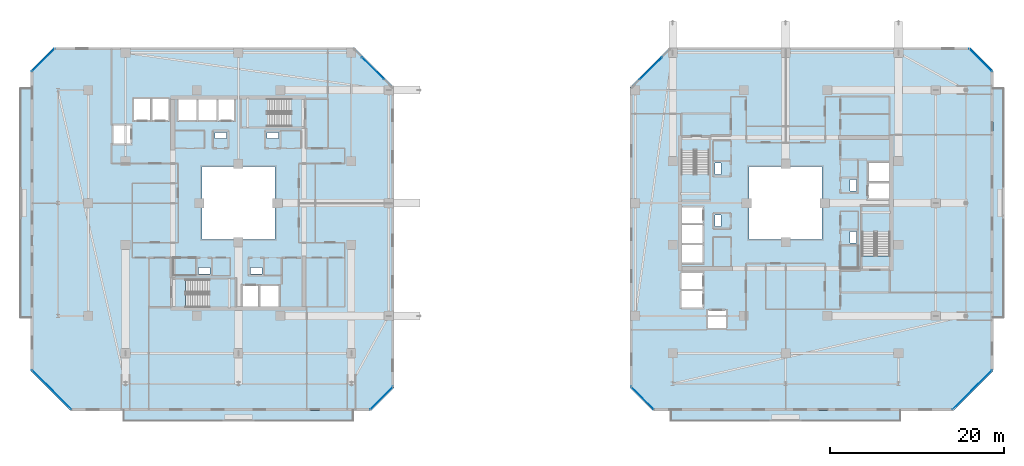
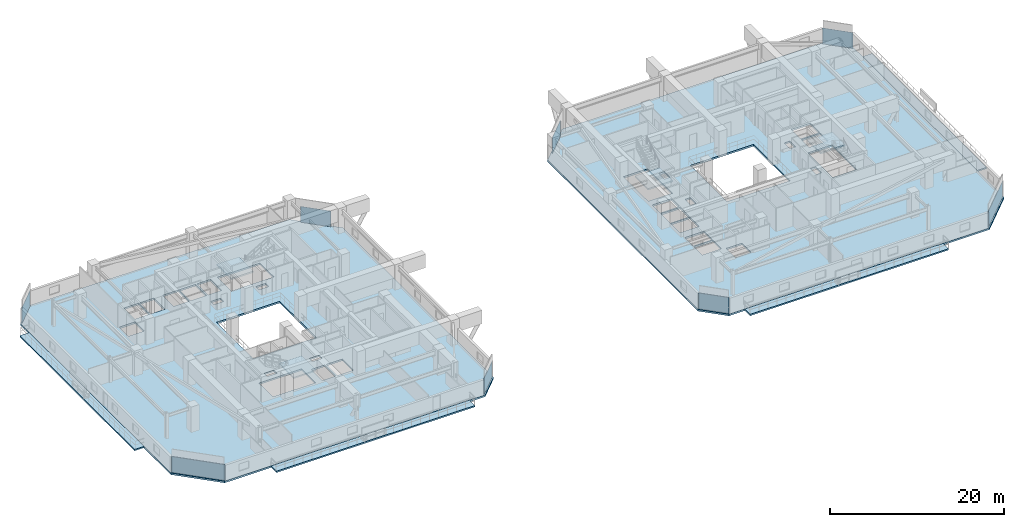
# One storey, part 17 of 35: 10 slabs, 8 plates, 12 elements without a shape of their own.
"""IFC4 building model written with IfcOpenShell, lengths in metres."""

from ifc_helpers import new_model, si_unit, direction, frame, origin, origin_2d, place, context, subcontext, project, spatial, polyline, rectangle, outline, extrude, material, layer, layer_set, type_object, element, aggregate, save


model = new_model("IFC4")

# Units and contexts
model_context = context("Model", 3, precision=1e-05, world=origin(), true_north=direction((0.0, 1.0)))
body_context = subcontext(model_context, "Body", "Model", "MODEL_VIEW")
ifc_project = project(units=[si_unit("LENGTHUNIT", "METRE"), si_unit("AREAUNIT", "SQUARE_METRE"), si_unit("VOLUMEUNIT", "CUBIC_METRE"), si_unit("PLANEANGLEUNIT", "RADIAN"), si_unit("MASSUNIT", "GRAM", prefix="KILO")], contexts=[model_context])

# Site, building, storey
site_placement = place(None, origin())
site = spatial("IfcSite", under=ifc_project, at=site_placement, CompositionType="ELEMENT")
building_placement = place(site_placement, origin())
building = spatial("IfcBuilding", under=site, at=building_placement, Name="Thornwick Lancets Civic Towers", CompositionType="ELEMENT")
storey_placement = place(building_placement, frame((0.0, 0.0, 145.5)))
storey = spatial("IfcBuildingStorey", under=building, at=storey_placement, Name="L38", CompositionType="ELEMENT", Elevation=145.5)

# Curtain wall, plate
ifc_material_1 = material(Name="Mid-zone chamfered-corner unitised glass curtain wall", Category="glass")
curtain_wall_type = type_object("IfcCurtainWallType", Name="CW_SYS_04", PredefinedType="NOTDEFINED", material=ifc_material_1)
curtain_wall_1_placement = place(storey_placement, origin())
curtain_wall_1 = element("IfcCurtainWall", 1, at=curtain_wall_1_placement, inside=storey, type_object=curtain_wall_type, Name="L38 Curtain Wall CW-L38-A-E1", PredefinedType="NOTDEFINED")
ifc_material_2 = material(Name="Low-e double glazing clear glass", Category="glass")
ifc_layer_1 = layer(ifc_material_2, 0.035888671875, Name="Low-e double glazing clear glass")
ifc_layer_set_1 = layer_set([ifc_layer_1], Name="Low-e double glazing clear glass")
plate_type = type_object("IfcPlateType", Name="CW_PNL_GLASS", PredefinedType="CURTAIN_PANEL", material=ifc_layer_set_1)
plate_1_placement = place(storey_placement, frame((41.972900390625, 4.527099609375, 0.0), z_axis=(0.0, 0.0, 1.0), x_axis=(0.707106781187, 0.707106781187, 0.0)))
plate_1 = element("IfcPlate", 2, at=plate_1_placement, type_object=plate_type, Name="CW-L38-A-E1 Panel 0", PredefinedType="CURTAIN_PANEL", context=body_context, shape_type="SweptSolid", body=[
    extrude(rectangle(XDim=3.649169921875, YDim=0.035888671875, at=origin_2d()), origin(), (0.0, 0.0, 1.0), 2.219970703125),
])
aggregate(curtain_wall_1, [plate_1])

curtain_wall_2_placement = place(storey_placement, origin())
curtain_wall_2 = element("IfcCurtainWall", 3, at=curtain_wall_2_placement, inside=storey, type_object=curtain_wall_type, Name="L38 Curtain Wall CW-L38-A-E3", PredefinedType="NOTDEFINED")
plate_2_placement = place(storey_placement, frame((41.004638671875, 42.504638671875, 0.0), z_axis=(0.0, 0.0, 1.0), x_axis=(-0.707106781187, 0.707106781187, 0.0)))
plate_2 = element("IfcPlate", 4, at=plate_2_placement, type_object=plate_type, Name="CW-L38-A-E3 Panel 0", PredefinedType="CURTAIN_PANEL", context=body_context, shape_type="SweptSolid", body=[
    extrude(rectangle(XDim=3.5771484375, YDim=0.035888671875, at=origin_2d()), origin(), (0.0, 0.0, 1.0), 2.219970703125),
])
aggregate(curtain_wall_2, [plate_2])

curtain_wall_3_placement = place(storey_placement, origin())
curtain_wall_3 = element("IfcCurtainWall", 5, at=curtain_wall_3_placement, inside=storey, type_object=curtain_wall_type, Name="L38 Curtain Wall CW-L38-A-E5", PredefinedType="NOTDEFINED")
plate_3_placement = place(storey_placement, frame((3.027099609375, 43.472900390625, 0.0), z_axis=(0.0, 0.0, 1.0), x_axis=(-0.707106781187, -0.707106781187, 0.0)))
plate_3 = element("IfcPlate", 6, at=plate_3_placement, type_object=plate_type, Name="CW-L38-A-E5 Panel 0", PredefinedType="CURTAIN_PANEL", context=body_context, shape_type="SweptSolid", body=[
    extrude(rectangle(XDim=3.649169921875, YDim=0.035888671875, at=origin_2d()), origin(), (0.0, 0.0, 1.0), 2.219970703125),
])
aggregate(curtain_wall_3, [plate_3])

curtain_wall_4_placement = place(storey_placement, origin())
curtain_wall_4 = element("IfcCurtainWall", 7, at=curtain_wall_4_placement, inside=storey, type_object=curtain_wall_type, Name="L38 Curtain Wall CW-L38-A-E7", PredefinedType="NOTDEFINED")
plate_4_placement = place(storey_placement, frame((3.995361328125, 5.495361328125, 0.0), z_axis=(0.0, 0.0, 1.0), x_axis=(0.707106781187, -0.707106781187, 0.0)))
plate_4 = element("IfcPlate", 8, at=plate_4_placement, type_object=plate_type, Name="CW-L38-A-E7 Panel 0", PredefinedType="CURTAIN_PANEL", context=body_context, shape_type="SweptSolid", body=[
    extrude(rectangle(XDim=6.370361328125, YDim=0.035888671875, at=origin_2d()), origin(), (0.0, 0.0, 1.0), 2.219970703125),
])
aggregate(curtain_wall_4, [plate_4])

curtain_wall_5_placement = place(storey_placement, origin())
curtain_wall_5 = element("IfcCurtainWall", 9, at=curtain_wall_5_placement, inside=storey, type_object=curtain_wall_type, Name="L38 Curtain Wall CW-L38-B-E1", PredefinedType="NOTDEFINED")
plate_5_placement = place(storey_placement, frame((110.004638671875, 5.495361328125, 0.0), z_axis=(0.0, 0.0, 1.0), x_axis=(0.707106781187, 0.707106781187, 0.0)))
plate_5 = element("IfcPlate", 10, at=plate_5_placement, type_object=plate_type, Name="CW-L38-B-E1 Panel 0", PredefinedType="CURTAIN_PANEL", context=body_context, shape_type="SweptSolid", body=[
    extrude(rectangle(XDim=6.370361328125, YDim=0.035888671875, at=origin_2d()), origin(), (0.0, 0.0, 1.0), 2.219970703125),
])
aggregate(curtain_wall_5, [plate_5])

curtain_wall_6_placement = place(storey_placement, origin())
curtain_wall_6 = element("IfcCurtainWall", 11, at=curtain_wall_6_placement, inside=storey, type_object=curtain_wall_type, Name="L38 Curtain Wall CW-L38-B-E3", PredefinedType="NOTDEFINED")
plate_6_placement = place(storey_placement, frame((110.972900390625, 43.472900390625, 0.0), z_axis=(0.0, 0.0, 1.0), x_axis=(-0.707106781187, 0.707106781187, 0.0)))
plate_6 = element("IfcPlate", 12, at=plate_6_placement, type_object=plate_type, Name="CW-L38-B-E3 Panel 0", PredefinedType="CURTAIN_PANEL", context=body_context, shape_type="SweptSolid", body=[
    extrude(rectangle(XDim=3.649169921875, YDim=0.035888671875, at=origin_2d()), origin(), (0.0, 0.0, 1.0), 2.219970703125),
])
aggregate(curtain_wall_6, [plate_6])

curtain_wall_7_placement = place(storey_placement, origin())
curtain_wall_7 = element("IfcCurtainWall", 13, at=curtain_wall_7_placement, inside=storey, type_object=curtain_wall_type, Name="L38 Curtain Wall CW-L38-B-E5", PredefinedType="NOTDEFINED")
plate_7_placement = place(storey_placement, frame((72.995361328125, 42.504638671875, 0.0), z_axis=(0.0, 0.0, 1.0), x_axis=(-0.707106781187, -0.707106781187, 0.0)))
plate_7 = element("IfcPlate", 14, at=plate_7_placement, type_object=plate_type, Name="CW-L38-B-E5 Panel 0", PredefinedType="CURTAIN_PANEL", context=body_context, shape_type="SweptSolid", body=[
    extrude(rectangle(XDim=3.5771484375, YDim=0.035888671875, at=origin_2d()), origin(), (0.0, 0.0, 1.0), 2.219970703125),
])
aggregate(curtain_wall_7, [plate_7])

curtain_wall_8_placement = place(storey_placement, origin())
curtain_wall_8 = element("IfcCurtainWall", 15, at=curtain_wall_8_placement, inside=storey, type_object=curtain_wall_type, Name="L38 Curtain Wall CW-L38-B-E7", PredefinedType="NOTDEFINED")
plate_8_placement = place(storey_placement, frame((72.027099609375, 4.527099609375, 0.0), z_axis=(0.0, 0.0, 1.0), x_axis=(0.707106781187, -0.707106781187, 0.0)))
plate_8 = element("IfcPlate", 16, at=plate_8_placement, type_object=plate_type, Name="CW-L38-B-E7 Panel 0", PredefinedType="CURTAIN_PANEL", context=body_context, shape_type="SweptSolid", body=[
    extrude(rectangle(XDim=3.649169921875, YDim=0.035888671875, at=origin_2d()), origin(), (0.0, 0.0, 1.0), 2.219970703125),
])
aggregate(curtain_wall_8, [plate_8])

# Slabs
ifc_material_3 = material(Name="Post-tensioned concrete C40/50", Category="concrete")
ifc_layer_2 = layer(ifc_material_3, 0.199951171875, Name="Post-tensioned concrete C40/50")
ifc_layer_set_2 = layer_set([ifc_layer_2], Name="Post-tensioned concrete C40/50")
slab_type_1 = type_object("IfcSlabType", Name="SLAB_BALCONY_200", PredefinedType="FLOOR", material=ifc_layer_set_2)
slab_1_placement = place(storey_placement, frame((0.0, 0.0, -0.199951171875)))
element("IfcSlab", 17, at=slab_1_placement, inside=storey, type_object=slab_type_1, Name="L38 Tower A Planted Balcony Slab W", PredefinedType="FLOOR", context=body_context, shape_type="SweptSolid", body=[
    extrude(outline(polyline([(0.35009765625, 13.800048828125), (1.60009765625, 13.800048828125), (1.60009765625, 40.199951171875), (0.35009765625, 40.199951171875), (0.35009765625, 13.800048828125)])), origin(), (0.0, 0.0, 1.0), 0.199951171875),
])
slab_2_placement = place(storey_placement, frame((0.0, 0.0, -0.199951171875)))
element("IfcSlab", 18, at=slab_2_placement, inside=storey, type_object=slab_type_1, Name="L38 Tower A Planted Balcony Slab S", PredefinedType="FLOOR", context=body_context, shape_type="SweptSolid", body=[
    extrude(outline(polyline([(12.300048828125, 1.85009765625), (38.699951171875, 1.85009765625), (38.699951171875, 3.10009765625), (12.300048828125, 3.10009765625), (12.300048828125, 1.85009765625)])), origin(), (0.0, 0.0, 1.0), 0.199951171875),
])
slab_3_placement = place(storey_placement, frame((0.0, 0.0, -0.199951171875)))
element("IfcSlab", 19, at=slab_3_placement, inside=storey, type_object=slab_type_1, Name="L38 Tower B Planted Balcony Slab E", PredefinedType="FLOOR", context=body_context, shape_type="SweptSolid", body=[
    extrude(outline(polyline([(112.39990234375, 13.800048828125), (113.64990234375, 13.800048828125), (113.64990234375, 40.199951171875), (112.39990234375, 40.199951171875), (112.39990234375, 13.800048828125)])), origin(), (0.0, 0.0, 1.0), 0.199951171875),
])
slab_4_placement = place(storey_placement, frame((0.0, 0.0, -0.199951171875)))
element("IfcSlab", 20, at=slab_4_placement, inside=storey, type_object=slab_type_1, Name="L38 Tower B Planted Balcony Slab S", PredefinedType="FLOOR", context=body_context, shape_type="SweptSolid", body=[
    extrude(outline(polyline([(75.300048828125, 1.85009765625), (101.699951171875, 1.85009765625), (101.699951171875, 3.10009765625), (75.300048828125, 3.10009765625), (75.300048828125, 1.85009765625)])), origin(), (0.0, 0.0, 1.0), 0.199951171875),
])

# Stair, slab
ifc_material_4 = material(Name="Concrete C40/50", Category="concrete")
stair_type = type_object("IfcStairType", Name="STAIR_DL_3600", PredefinedType="HALF_TURN_STAIR", material=ifc_material_4)
stair_1_placement = place(storey_placement, origin())
stair_1 = element("IfcStair", 21, at=stair_1_placement, inside=storey, type_object=stair_type, Name="L38 Tower A South Exit Stair ST-A1", PredefinedType="HALF_TURN_STAIR")
ifc_layer_3 = layer(ifc_material_4, 0.25, Name="Concrete C40/50")
ifc_layer_set_3 = layer_set([ifc_layer_3], Name="Concrete C40/50")
slab_type_2 = type_object("IfcSlabType", Name="SLAB_LANDING_200", PredefinedType="LANDING", material=ifc_layer_set_3)
slab_5_placement = place(storey_placement, frame((0.0, 0.0, 1.60302734375)))
slab_5 = element("IfcSlab", 22, at=slab_5_placement, type_object=slab_type_2, Name="ST-A1 landing 1", PredefinedType="LANDING", context=body_context, shape_type="SweptSolid", body=[
    extrude(outline(polyline([(22.169921875, 14.93994140625), (25.14990234375, 14.93994140625), (25.14990234375, 18.260009765625), (22.169921875, 18.260009765625), (22.169921875, 14.93994140625)])), origin(), (0.0, 0.0, 1.0), 0.199951171875),
])
aggregate(stair_1, [slab_5])

stair_2_placement = place(storey_placement, origin())
stair_2 = element("IfcStair", 23, at=stair_2_placement, inside=storey, type_object=stair_type, Name="L38 Tower A North Exit Stair ST-A2", PredefinedType="HALF_TURN_STAIR")
slab_6_placement = place(storey_placement, frame((0.0, 0.0, 1.60302734375)))
slab_6 = element("IfcSlab", 24, at=slab_6_placement, type_object=slab_type_2, Name="ST-A2 landing 1", PredefinedType="LANDING", context=body_context, shape_type="SweptSolid", body=[
    extrude(outline(polyline([(28.830078125, 39.06005859375), (25.85009765625, 39.06005859375), (25.85009765625, 35.739990234375), (28.830078125, 35.739990234375), (28.830078125, 39.06005859375)])), origin(), (0.0, 0.0, 1.0), 0.199951171875),
])
aggregate(stair_2, [slab_6])

stair_3_placement = place(storey_placement, origin())
stair_3 = element("IfcStair", 25, at=stair_3_placement, inside=storey, type_object=stair_type, Name="L38 Tower B East Exit Stair ST-B1", PredefinedType="HALF_TURN_STAIR")
slab_7_placement = place(storey_placement, frame((0.0, 0.0, 1.60302734375)))
slab_7 = element("IfcSlab", 26, at=slab_7_placement, type_object=slab_type_2, Name="ST-B1 landing 1", PredefinedType="LANDING", context=body_context, shape_type="SweptSolid", body=[
    extrude(outline(polyline([(100.56005859375, 23.669921875), (100.56005859375, 26.64990234375), (97.239990234375, 26.64990234375), (97.239990234375, 23.669921875), (100.56005859375, 23.669921875)])), origin(), (0.0, 0.0, 1.0), 0.199951171875),
])
aggregate(stair_3, [slab_7])

stair_4_placement = place(storey_placement, origin())
stair_4 = element("IfcStair", 27, at=stair_4_placement, inside=storey, type_object=stair_type, Name="L38 Tower B West Exit Stair ST-B2", PredefinedType="HALF_TURN_STAIR")
slab_8_placement = place(storey_placement, frame((0.0, 0.0, 1.60302734375)))
slab_8 = element("IfcSlab", 28, at=slab_8_placement, type_object=slab_type_2, Name="ST-B2 landing 1", PredefinedType="LANDING", context=body_context, shape_type="SweptSolid", body=[
    extrude(outline(polyline([(76.43994140625, 30.330078125), (76.43994140625, 27.35009765625), (79.760009765625, 27.35009765625), (79.760009765625, 30.330078125), (76.43994140625, 30.330078125)])), origin(), (0.0, 0.0, 1.0), 0.199951171875),
])
aggregate(stair_4, [slab_8])

# Slabs
ifc_layer_4 = layer(ifc_material_3, 0.239990234375, Name="Post-tensioned concrete C40/50")
ifc_layer_set_4 = layer_set([ifc_layer_4], Name="Post-tensioned concrete C40/50")
slab_type_3 = type_object("IfcSlabType", Name="SLAB_PT_240", PredefinedType="FLOOR", material=ifc_layer_set_4)
slab_9_placement = place(storey_placement, frame((0.0, 0.0, -0.239990234375)))
element("IfcSlab", 29, at=slab_9_placement, inside=storey, type_object=slab_type_3, Name="L38 Tower A Floor Slab", PredefinedType="FLOOR", context=body_context, shape_type="SweptSolid", body=[
    extrude(outline(polyline([(6.137939453125, 3.10009765625), (40.800048828125, 3.10009765625), (43.39990234375, 5.699951171875), (43.39990234375, 40.362060546875), (38.862060546875, 44.89990234375), (4.199951171875, 44.89990234375), (1.60009765625, 42.300048828125), (1.60009765625, 7.637939453125), (6.137939453125, 3.10009765625)]), holes=[polyline([(21.300048828125, 22.800048828125), (29.699951171875, 22.800048828125), (29.699951171875, 31.199951171875), (21.300048828125, 31.199951171875), (21.300048828125, 22.800048828125)]), polyline([(19.429931640625, 15.0), (25.10009765625, 15.0), (25.10009765625, 18.199951171875), (19.429931640625, 18.199951171875), (19.429931640625, 15.0)]), polyline([(31.570068359375, 39.0), (25.89990234375, 39.0), (25.89990234375, 35.800048828125), (31.570068359375, 35.800048828125), (31.570068359375, 39.0)]), polyline([(26.0, 15.0), (27.800048828125, 15.0), (27.800048828125, 17.550048828125), (26.0, 17.550048828125), (26.0, 15.0)]), polyline([(28.0, 15.0), (30.14990234375, 15.0), (30.14990234375, 17.550048828125), (28.0, 17.550048828125), (28.0, 15.0)]), polyline([(23.199951171875, 36.449951171875), (25.0, 36.449951171875), (25.0, 39.0), (23.199951171875, 39.0), (23.199951171875, 36.449951171875)]), polyline([(20.85009765625, 36.449951171875), (23.0, 36.449951171875), (23.0, 39.0), (20.85009765625, 39.0), (20.85009765625, 36.449951171875)]), polyline([(18.60009765625, 36.449951171875), (20.699951171875, 36.449951171875), (20.699951171875, 39.0), (18.60009765625, 39.0), (18.60009765625, 36.449951171875)]), polyline([(15.550048828125, 36.449951171875), (17.449951171875, 36.449951171875), (17.449951171875, 39.0), (15.550048828125, 39.0), (15.550048828125, 36.449951171875)]), polyline([(13.449951171875, 36.449951171875), (15.39990234375, 36.449951171875), (15.39990234375, 39.0), (13.449951171875, 39.0), (13.449951171875, 36.449951171875)]), polyline([(11.10009765625, 33.85009765625), (13.199951171875, 33.85009765625), (13.199951171875, 35.949951171875), (11.10009765625, 35.949951171875), (11.10009765625, 33.85009765625)]), polyline([(26.89990234375, 18.85009765625), (28.199951171875, 18.85009765625), (28.199951171875, 19.580078125), (26.89990234375, 19.580078125), (26.89990234375, 18.85009765625)]), polyline([(20.89990234375, 18.85009765625), (22.199951171875, 18.85009765625), (22.199951171875, 19.580078125), (20.89990234375, 19.580078125), (20.89990234375, 18.85009765625)]), polyline([(22.800048828125, 34.419921875), (24.10009765625, 34.419921875), (24.10009765625, 35.14990234375), (22.800048828125, 35.14990234375), (22.800048828125, 34.419921875)]), polyline([(28.800048828125, 34.419921875), (30.10009765625, 34.419921875), (30.10009765625, 35.14990234375), (28.800048828125, 35.14990234375), (28.800048828125, 34.419921875)])]), origin(), (0.0, 0.0, 1.0), 0.239990234375),
])
slab_10_placement = place(storey_placement, frame((0.0, 0.0, -0.239990234375)))
element("IfcSlab", 30, at=slab_10_placement, inside=storey, type_object=slab_type_3, Name="L38 Tower B Floor Slab", PredefinedType="FLOOR", context=body_context, shape_type="SweptSolid", body=[
    extrude(outline(polyline([(73.199951171875, 3.10009765625), (107.862060546875, 3.10009765625), (112.39990234375, 7.637939453125), (112.39990234375, 42.300048828125), (109.800048828125, 44.89990234375), (75.137939453125, 44.89990234375), (70.60009765625, 40.362060546875), (70.60009765625, 5.699951171875), (73.199951171875, 3.10009765625)]), holes=[polyline([(84.300048828125, 22.800048828125), (92.699951171875, 22.800048828125), (92.699951171875, 31.199951171875), (84.300048828125, 31.199951171875), (84.300048828125, 22.800048828125)]), polyline([(100.5, 20.929931640625), (100.5, 26.60009765625), (97.300048828125, 26.60009765625), (97.300048828125, 20.929931640625), (100.5, 20.929931640625)]), polyline([(76.5, 33.070068359375), (76.5, 27.39990234375), (79.699951171875, 27.39990234375), (79.699951171875, 33.070068359375), (76.5, 33.070068359375)]), polyline([(97.949951171875, 27.5), (100.5, 27.5), (100.5, 29.300048828125), (97.949951171875, 29.300048828125), (97.949951171875, 27.5)]), polyline([(97.949951171875, 29.5), (100.5, 29.5), (100.5, 31.64990234375), (97.949951171875, 31.64990234375), (97.949951171875, 29.5)]), polyline([(76.5, 24.699951171875), (79.050048828125, 24.699951171875), (79.050048828125, 26.5), (76.5, 26.5), (76.5, 24.699951171875)]), polyline([(76.5, 22.35009765625), (79.050048828125, 22.35009765625), (79.050048828125, 24.5), (76.5, 24.5), (76.5, 22.35009765625)]), polyline([(76.5, 20.10009765625), (79.050048828125, 20.10009765625), (79.050048828125, 22.199951171875), (76.5, 22.199951171875), (76.5, 20.10009765625)]), polyline([(76.5, 17.050048828125), (79.050048828125, 17.050048828125), (79.050048828125, 18.949951171875), (76.5, 18.949951171875), (76.5, 17.050048828125)]), polyline([(76.5, 14.949951171875), (79.050048828125, 14.949951171875), (79.050048828125, 16.89990234375), (76.5, 16.89990234375), (76.5, 14.949951171875)]), polyline([(79.550048828125, 12.60009765625), (81.64990234375, 12.60009765625), (81.64990234375, 14.699951171875), (79.550048828125, 14.699951171875), (79.550048828125, 12.60009765625)]), polyline([(95.919921875, 28.39990234375), (96.64990234375, 28.39990234375), (96.64990234375, 29.699951171875), (95.919921875, 29.699951171875), (95.919921875, 28.39990234375)]), polyline([(95.919921875, 22.39990234375), (96.64990234375, 22.39990234375), (96.64990234375, 23.699951171875), (95.919921875, 23.699951171875), (95.919921875, 22.39990234375)]), polyline([(80.35009765625, 24.300048828125), (81.080078125, 24.300048828125), (81.080078125, 25.60009765625), (80.35009765625, 25.60009765625), (80.35009765625, 24.300048828125)]), polyline([(80.35009765625, 30.300048828125), (81.080078125, 30.300048828125), (81.080078125, 31.60009765625), (80.35009765625, 31.60009765625), (80.35009765625, 30.300048828125)])]), origin(), (0.0, 0.0, 1.0), 0.239990234375),
])

save(model, "model.ifc")
